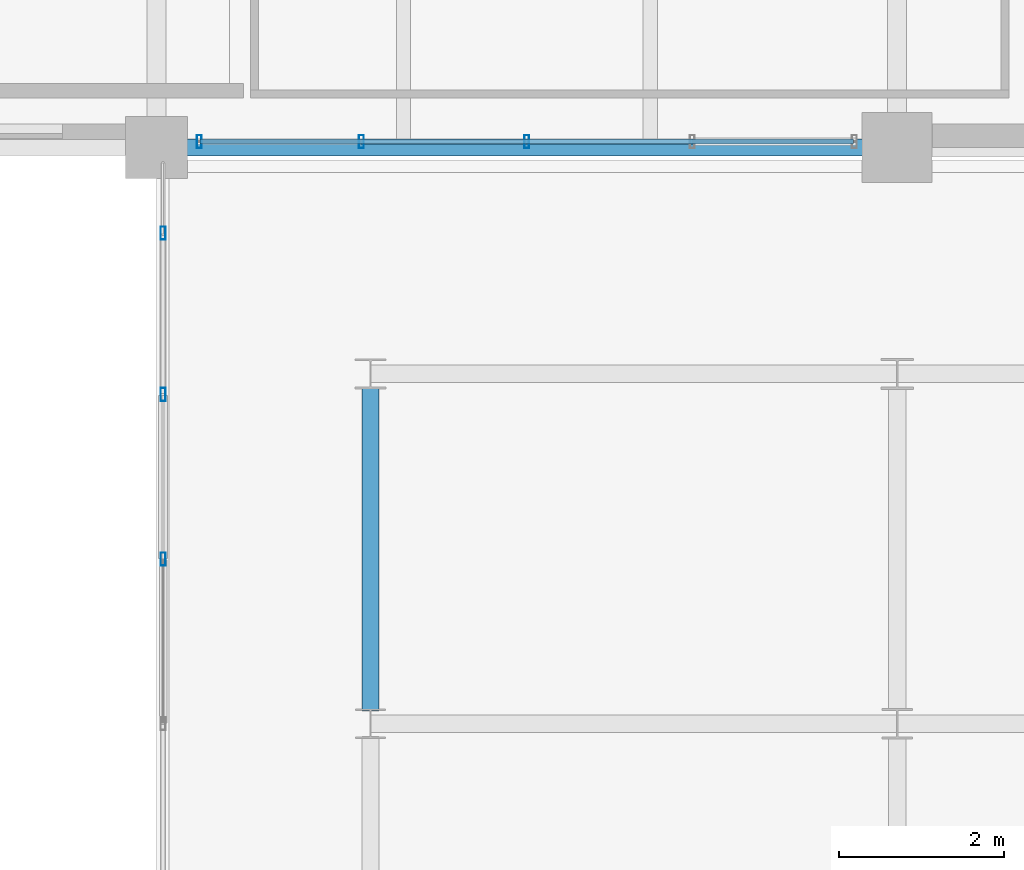
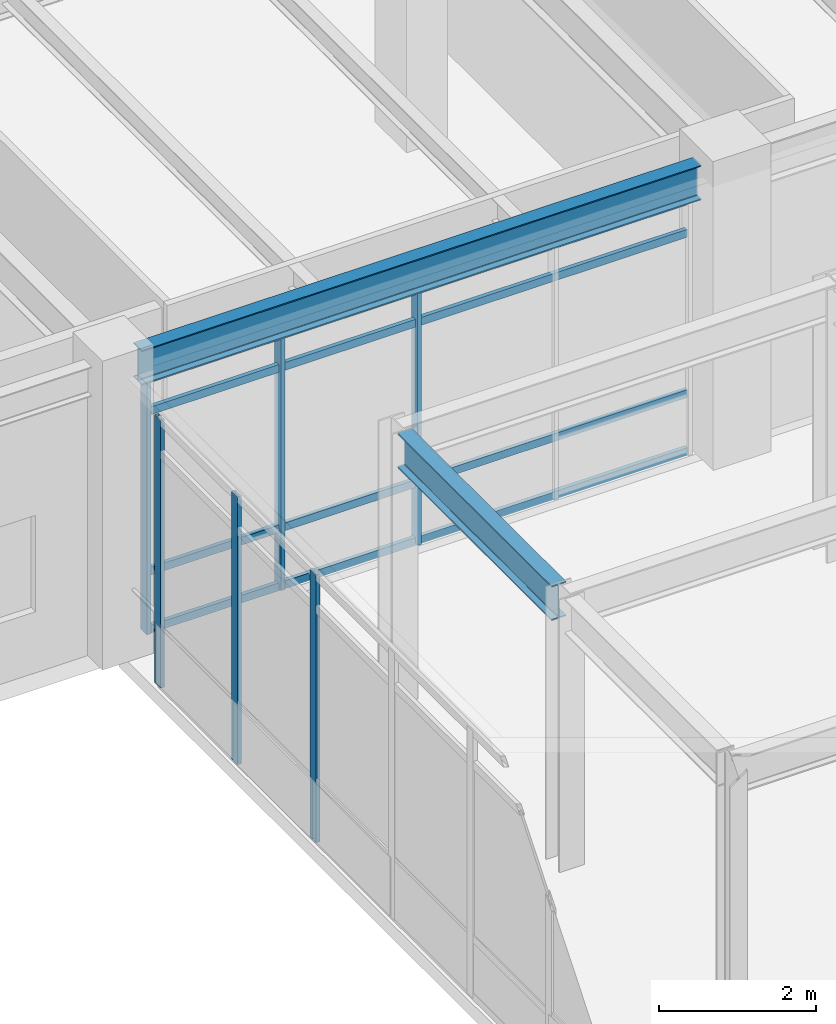
# One storey, part 87 of 200: 10 members, 2 beams, 2 elements without a shape of their own.
"""IFC4 building model written with IfcOpenShell, lengths in metres."""

from ifc_helpers import new_model, si_unit, direction, frame, origin, origin_2d, place, context, subcontext, project, spatial, hollow_rectangle, i_section, extrude, material, material_profile, profile_set, type_object, element, aggregate, save


model = new_model("IFC4")

# Units and contexts
model_context = context("Model", 3, precision=1e-05, world=origin(), true_north=direction((0.0, 1.0)))
body_context = subcontext(model_context, "Body", "Model", "MODEL_VIEW")
ifc_project = project(units=[si_unit("LENGTHUNIT", "METRE"), si_unit("AREAUNIT", "SQUARE_METRE"), si_unit("VOLUMEUNIT", "CUBIC_METRE"), si_unit("PLANEANGLEUNIT", "RADIAN"), si_unit("MASSUNIT", "GRAM", prefix="KILO"), si_unit("THERMODYNAMICTEMPERATUREUNIT", "KELVIN"), si_unit("POWERUNIT", "WATT")], contexts=[model_context])

# Site, building, storey
site_placement = place(None, origin())
site = spatial("IfcSite", under=ifc_project, at=site_placement, CompositionType="ELEMENT")
building_placement = place(site_placement, origin())
building = spatial("IfcBuilding", under=site, at=building_placement, Name="Tepalcoro Natatorium and Aquatics Centre", CompositionType="ELEMENT")
storey_placement = place(building_placement, frame((0.0, 0.0, 5.39990234375)))
storey = spatial("IfcBuildingStorey", under=building, at=storey_placement, Name="L01", CompositionType="ELEMENT", Elevation=5.39990234375)

# Beam
ifc_material_1 = material(Name="Steel ASTM A992 Grade 50 (Fy 345 MPa)", Category="steel")
ifc_material_profile_1 = material_profile(ifc_material_1, i_section(OverallWidth=0.2109375, OverallDepth=0.5380859375, WebThickness=0.011962890625, FlangeThickness=0.01904296875, FilletRadius=0.013916015625, at=origin_2d()), Name="W21X73")
ifc_profile_set_1 = profile_set([ifc_material_profile_1], Name="Steel ASTM A992 Grade 50 (Fy 345 MPa)")
beam_type_1 = type_object("IfcBeamType", Name="BM_LINK_LB1", PredefinedType="BEAM", material=ifc_profile_set_1)
beam_1_placement = place(storey_placement, frame((109.60009765625, 79.156982421875, 3.9560546875), z_axis=(0.0, 1.0, 0.0), x_axis=(-1.0, 0.0, 0.0)))
element("IfcBeam", 1, at=beam_1_placement, inside=storey, type_object=beam_type_1, Name="Seismic passage link beam LB1 (V6NE L01)", PredefinedType="BEAM", context=body_context, shape_type="SweptSolid", body=[
    extrude(i_section(OverallWidth=0.2109375, OverallDepth=0.5380859375, WebThickness=0.011962890625, FlangeThickness=0.01904296875, FilletRadius=0.013916015625, at=origin_2d()), origin(), (0.0, 0.0, 1.0), 3.929931640625),
])

# Curtain wall, members
ifc_material_2 = material(Name="Bronze-Anodised Extruded Aluminium Alloy EN AW-6063 T6", Category="aluminium")
curtain_wall_type_1 = type_object("IfcCurtainWallType", Name="CW_V3_FOYER", PredefinedType="USERDEFINED", material=ifc_material_2)
curtain_wall_1_placement = place(storey_placement, origin())
curtain_wall_1 = element("IfcCurtainWall", 2, at=curtain_wall_1_placement, inside=storey, type_object=curtain_wall_type_1, Name="V5 L01 S Unitised Curtain Wall Bay 2", ObjectType="UNITISED STOREFRONT", PredefinedType="USERDEFINED")
ifc_material_profile_2 = material_profile(ifc_material_2, hollow_rectangle(XDim=0.06005859375, YDim=0.159912109375, WallThickness=0.00390625, at=origin_2d()), Name="AL60X160X4")
ifc_profile_set_2 = profile_set([ifc_material_profile_2], Name="Bronze-Anodised Extruded Aluminium Alloy EN AW-6063 T6")
member_type_1 = type_object("IfcMemberType", Name="CW_MUL_60x160", PredefinedType="MULLION", material=ifc_profile_set_2)
member_1_placement = place(storey_placement, frame((107.52001953125, 86.0712890625, 0.02001953125), z_axis=(0.0, 0.0, 1.0), x_axis=(1.0, 0.0, 0.0)))
member_1 = element("IfcMember", 3, at=member_1_placement, type_object=member_type_1, Name="CW_V3_FOYER Curtain Wall Mullion", PredefinedType="MULLION", context=body_context, shape_type="SweptSolid", body=[
    extrude(hollow_rectangle(XDim=0.06005859375, YDim=0.159912109375, WallThickness=0.00390625, at=origin_2d()), origin(), (0.0, 0.0, 1.0), 3.9541015625),
])
member_2_placement = place(storey_placement, frame((109.489990234375, 86.0712890625, 0.02001953125), z_axis=(0.0, 0.0, 1.0), x_axis=(1.0, 0.0, 0.0)))
member_2 = element("IfcMember", 4, at=member_2_placement, type_object=member_type_1, Name="CW_V3_FOYER Curtain Wall Mullion", PredefinedType="MULLION", context=body_context, shape_type="SweptSolid", body=[
    extrude(hollow_rectangle(XDim=0.06005859375, YDim=0.159912109375, WallThickness=0.00390625, at=origin_2d()), origin(), (0.0, 0.0, 1.0), 3.9541015625),
])
member_3_placement = place(storey_placement, frame((111.5, 86.0712890625, 0.02001953125), z_axis=(0.0, 0.0, 1.0), x_axis=(1.0, 0.0, 0.0)))
member_3 = element("IfcMember", 5, at=member_3_placement, type_object=member_type_1, Name="CW_V3_FOYER Curtain Wall Mullion", PredefinedType="MULLION", context=body_context, shape_type="SweptSolid", body=[
    extrude(hollow_rectangle(XDim=0.06005859375, YDim=0.159912109375, WallThickness=0.00390625, at=origin_2d()), origin(), (0.0, 0.0, 1.0), 3.9541015625),
])

curtain_wall_type_2 = type_object("IfcCurtainWallType", Name="CW_LINK_150", PredefinedType="USERDEFINED", material=ifc_material_2)
curtain_wall_2_placement = place(storey_placement, origin())
curtain_wall_2 = element("IfcCurtainWall", 6, at=curtain_wall_2_placement, inside=storey, type_object=curtain_wall_type_2, Name="East Court Wellness Arcade Glazed Wall W L01", ObjectType="UNITISED STOREFRONT", PredefinedType="USERDEFINED")
member_4_placement = place(storey_placement, frame((107.080078125, 81.0, 0.02001953125), z_axis=(0.0, 0.0, 1.0), x_axis=(1.0, 0.0, 0.0)))
member_4 = element("IfcMember", 7, at=member_4_placement, type_object=member_type_1, Name="CW_LINK_150 Curtain Wall Mullion", PredefinedType="MULLION", context=body_context, shape_type="SweptSolid", body=[
    extrude(hollow_rectangle(XDim=0.06005859375, YDim=0.159912109375, WallThickness=0.00390625, at=origin_2d()), origin(), (0.0, 0.0, 1.0), 4.16015625),
])
member_5_placement = place(storey_placement, frame((107.080078125, 83.0, 0.02001953125), z_axis=(0.0, 0.0, 1.0), x_axis=(1.0, 0.0, 0.0)))
member_5 = element("IfcMember", 8, at=member_5_placement, type_object=member_type_1, Name="CW_LINK_150 Curtain Wall Mullion", PredefinedType="MULLION", context=body_context, shape_type="SweptSolid", body=[
    extrude(hollow_rectangle(XDim=0.06005859375, YDim=0.159912109375, WallThickness=0.00390625, at=origin_2d()), origin(), (0.0, 0.0, 1.0), 4.16015625),
])
member_6_placement = place(storey_placement, frame((107.080078125, 84.9599609375, 0.02001953125), z_axis=(0.0, 0.0, 1.0), x_axis=(1.0, 0.0, 0.0)))
member_6 = element("IfcMember", 9, at=member_6_placement, type_object=member_type_1, Name="CW_LINK_150 Curtain Wall Mullion", PredefinedType="MULLION", context=body_context, shape_type="SweptSolid", body=[
    extrude(hollow_rectangle(XDim=0.06005859375, YDim=0.159912109375, WallThickness=0.00390625, at=origin_2d()), origin(), (0.0, 0.0, 1.0), 4.16015625),
])
aggregate(curtain_wall_2, [member_4, member_5, member_6])

# Member
ifc_material_profile_3 = material_profile(ifc_material_2, hollow_rectangle(XDim=0.06005859375, YDim=0.1201171875, WallThickness=0.00390625, at=origin_2d()), Name="AL60X120X4")
ifc_profile_set_3 = profile_set([ifc_material_profile_3], Name="Bronze-Anodised Extruded Aluminium Alloy EN AW-6063 T6")
member_type_2 = type_object("IfcMemberType", Name="CW_TRN_60x120", PredefinedType="USERDEFINED", material=ifc_profile_set_3)
member_7_placement = place(storey_placement, frame((107.530029296875, 86.0712890625, 0.050048828125), z_axis=(1.0, 0.0, 0.0), x_axis=(0.0, 1.0, 0.0)))
member_7 = element("IfcMember", 10, at=member_7_placement, type_object=member_type_2, Name="CW_V3_FOYER Curtain Wall Transom", ObjectType="TRANSOM", PredefinedType="USERDEFINED", context=body_context, shape_type="SweptSolid", body=[
    extrude(hollow_rectangle(XDim=0.06005859375, YDim=0.1201171875, WallThickness=0.00390625, at=origin_2d()), origin(), (0.0, 0.0, 1.0), 7.93994140625),
])

member_8_placement = place(storey_placement, frame((107.530029296875, 86.0712890625, 0.9501953125), z_axis=(1.0, 0.0, 0.0), x_axis=(0.0, 1.0, 0.0)))
member_8 = element("IfcMember", 11, at=member_8_placement, type_object=member_type_2, Name="CW_V3_FOYER Curtain Wall Transom", ObjectType="TRANSOM", PredefinedType="USERDEFINED", context=body_context, shape_type="SweptSolid", body=[
    extrude(hollow_rectangle(XDim=0.06005859375, YDim=0.1201171875, WallThickness=0.00390625, at=origin_2d()), origin(), (0.0, 0.0, 1.0), 7.93994140625),
])

member_9_placement = place(storey_placement, frame((107.530029296875, 86.0712890625, 3.444091796875), z_axis=(1.0, 0.0, 0.0), x_axis=(0.0, 1.0, 0.0)))
member_9 = element("IfcMember", 12, at=member_9_placement, type_object=member_type_2, Name="CW_V3_FOYER Curtain Wall Transom", ObjectType="TRANSOM", PredefinedType="USERDEFINED", context=body_context, shape_type="SweptSolid", body=[
    extrude(hollow_rectangle(XDim=0.06005859375, YDim=0.1201171875, WallThickness=0.00390625, at=origin_2d()), origin(), (0.0, 0.0, 1.0), 7.93994140625),
])

member_10_placement = place(storey_placement, frame((107.530029296875, 86.0712890625, 3.944091796875), z_axis=(1.0, 0.0, 0.0), x_axis=(0.0, 1.0, 0.0)))
member_10 = element("IfcMember", 13, at=member_10_placement, type_object=member_type_2, Name="CW_V3_FOYER Curtain Wall Transom", ObjectType="TRANSOM", PredefinedType="USERDEFINED", context=body_context, shape_type="SweptSolid", body=[
    extrude(hollow_rectangle(XDim=0.06005859375, YDim=0.1201171875, WallThickness=0.00390625, at=origin_2d()), origin(), (0.0, 0.0, 1.0), 7.93994140625),
])

aggregate(curtain_wall_1, [member_1, member_2, member_3, member_7, member_8, member_9, member_10])

# Beam
ifc_material_profile_4 = material_profile(ifc_material_1, i_section(OverallWidth=0.2099609375, OverallDepth=0.535888671875, WebThickness=0.010986328125, FlangeThickness=0.01708984375, FilletRadius=0.013916015625, at=origin_2d()), Name="W21X68")
ifc_profile_set_4 = profile_set([ifc_material_profile_4], Name="Steel ASTM A992 Grade 50 (Fy 345 MPa)")
beam_type_2 = type_object("IfcBeamType", Name="SP_W21x68", PredefinedType="SPANDREL", material=ifc_profile_set_4)
beam_2_placement = place(storey_placement, frame((107.360107421875, 86.0, 4.277099609375), z_axis=(1.0, 0.0, 0.0), x_axis=(0.0, 1.0, 0.0)))
element("IfcBeam", 14, at=beam_2_placement, inside=storey, type_object=beam_type_2, Name="V5 L01 Grid Girder X", PredefinedType="SPANDREL", context=body_context, shape_type="SweptSolid", body=[
    extrude(i_section(OverallWidth=0.2099609375, OverallDepth=0.535888671875, WebThickness=0.010986328125, FlangeThickness=0.01708984375, FilletRadius=0.013916015625, at=origin_2d()), origin(), (0.0, 0.0, 1.0), 8.22998046875),
])

save(model, "model.ifc")
